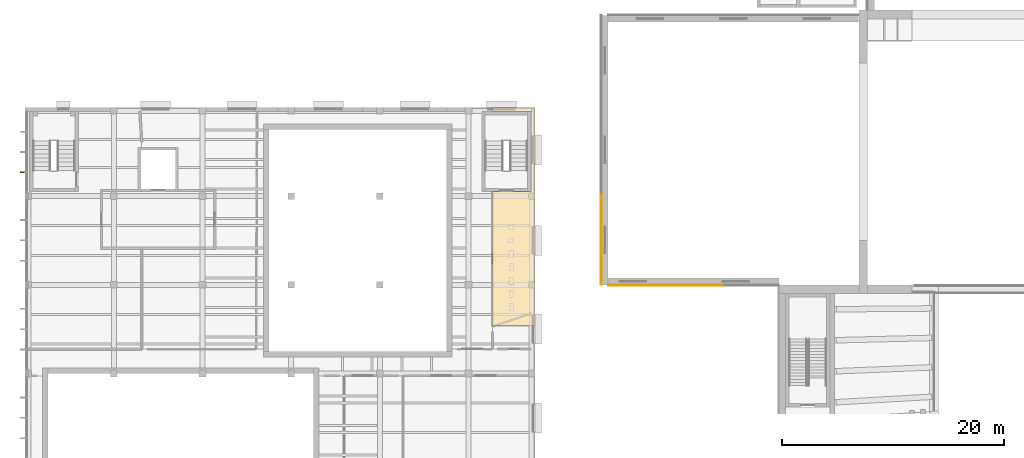
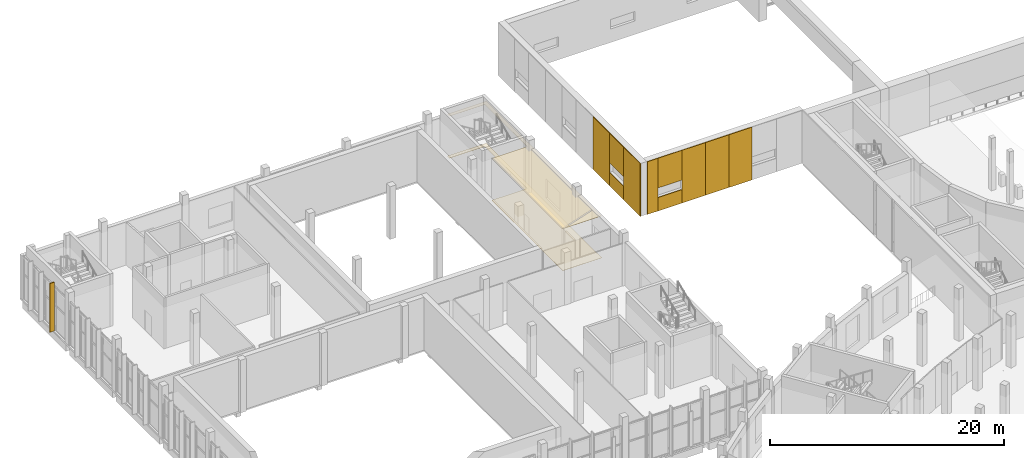
# One storey, part 64 of 87: 12 coverings, 1 shading device.
"""IFC4 building model written with IfcOpenShell, lengths in metres."""

from ifc_helpers import new_model, si_unit, direction, frame, origin, origin_2d, place, context, subcontext, project, spatial, polyline, rectangle, outline, extrude, material, layer, layer_set, type_object, element, save


model = new_model("IFC4")

# Units and contexts
model_context = context("Model", 3, precision=1e-05, world=origin(), true_north=direction((0.0, 1.0)))
body_context = subcontext(model_context, "Body", "Model", "MODEL_VIEW")
ifc_project = project(units=[si_unit("LENGTHUNIT", "METRE"), si_unit("AREAUNIT", "SQUARE_METRE"), si_unit("VOLUMEUNIT", "CUBIC_METRE"), si_unit("PLANEANGLEUNIT", "RADIAN"), si_unit("MASSUNIT", "GRAM", prefix="KILO")], contexts=[model_context])

# Site, building, storey
site_placement = place(None, origin())
site = spatial("IfcSite", under=ifc_project, at=site_placement, CompositionType="ELEMENT")
building_placement = place(site_placement, origin())
building = spatial("IfcBuilding", under=site, at=building_placement, Name="Lunette Opera House", CompositionType="ELEMENT")
storey_placement = place(building_placement, frame((0.0, 0.0, 11.5)))
storey = spatial("IfcBuildingStorey", under=building, at=storey_placement, Name="L02", CompositionType="ELEMENT", Elevation=11.5)

# Shading device
ifc_material_1 = material(Name="Powder-coated aluminium", Category="aluminium")
shading_device_type = type_object("IfcShadingDeviceType", Name="SOLAR FIN 100 X 450", PredefinedType="USERDEFINED", material=ifc_material_1)
shading_device_placement = place(storey_placement, frame((7.76708984375, 106.156005859375, 0.115478515625), z_axis=(0.0, 0.0, 1.0), x_axis=(-1.0, 0.0, 0.0)))
element("IfcShadingDevice", 1, at=shading_device_placement, inside=storey, type_object=shading_device_type, Name="Solar fin RW-X2029 3", ObjectType="SOLAR FIN", PredefinedType="USERDEFINED", context=body_context, shape_type="SweptSolid", body=[
    extrude(rectangle(XDim=0.449951171875, YDim=0.10009765625, at=origin_2d()), origin(), (0.0, 0.0, 1.0), 5.0849609375),
])

# Coverings
ifc_material_2 = material(Name="Aluminium standing seam cladding", Category="aluminium")
ifc_layer_1 = layer(ifc_material_2, 0.06005859375)
ifc_layer_set_1 = layer_set([ifc_layer_1], Name="Aluminium standing seam cladding")
covering_type_1 = type_object("IfcCoveringType", Name="STANDING SEAM CLADDING 60", PredefinedType="CLADDING", material=ifc_layer_set_1)
covering_1_placement = place(storey_placement, frame((59.969970703125, 97.425048828125, 0.0), z_axis=(0.0, 0.0, 1.0), x_axis=(0.0, 1.0, 0.0)))
element("IfcCovering", 2, at=covering_1_placement, inside=storey, type_object=covering_type_1, Name="Standing seam cladding SW-W-1 L02 00", PredefinedType="CLADDING", context=body_context, shape_type="SweptSolid", body=[
    extrude(rectangle(XDim=2.85009765625, YDim=0.06005859375, at=origin_2d()), origin(), (0.0, 0.0, 1.0), 5.5),
])
covering_2_placement = place(storey_placement, frame((59.969970703125, 100.050048828125, 0.0), z_axis=(0.0, 0.0, 1.0), x_axis=(0.0, 1.0, 0.0)))
element("IfcCovering", 3, at=covering_2_placement, inside=storey, type_object=covering_type_1, Name="Standing seam cladding SW-W-1 L02 10", PredefinedType="CLADDING", context=body_context, shape_type="SweptSolid", body=[
    extrude(rectangle(XDim=2.39990234375, YDim=0.06005859375, at=origin_2d()), origin(), (0.0, 0.0, 1.0), 1.39990234375),
])
covering_3_placement = place(storey_placement, frame((59.969970703125, 100.050048828125, 2.39990234375), z_axis=(0.0, 0.0, 1.0), x_axis=(0.0, 1.0, 0.0)))
element("IfcCovering", 4, at=covering_3_placement, inside=storey, type_object=covering_type_1, Name="Standing seam cladding SW-W-1 L02 11", PredefinedType="CLADDING", context=body_context, shape_type="SweptSolid", body=[
    extrude(rectangle(XDim=2.39990234375, YDim=0.06005859375, at=origin_2d()), origin(), (0.0, 0.0, 1.0), 3.10009765625),
])
covering_4_placement = place(storey_placement, frame((59.969970703125, 102.675048828125, 0.0), z_axis=(0.0, 0.0, 1.0), x_axis=(0.0, 1.0, 0.0)))
element("IfcCovering", 5, at=covering_4_placement, inside=storey, type_object=covering_type_1, Name="Standing seam cladding SW-W-1 L02 20", PredefinedType="CLADDING", context=body_context, shape_type="SweptSolid", body=[
    extrude(rectangle(XDim=2.85009765625, YDim=0.06005859375, at=origin_2d()), origin(), (0.0, 0.0, 1.0), 5.5),
])
covering_5_placement = place(storey_placement, frame((61.123046875, 95.969970703125, 0.0), z_axis=(0.0, 0.0, 1.0), x_axis=(1.0, 0.0, 0.0)))
element("IfcCovering", 6, at=covering_5_placement, inside=storey, type_object=covering_type_1, Name="Standing seam cladding SW-S-1 L02 00", PredefinedType="CLADDING", context=body_context, shape_type="SweptSolid", body=[
    extrude(rectangle(XDim=1.047119140625, YDim=0.06005859375, at=origin_2d()), origin(), (0.0, 0.0, 1.0), 5.5),
])
covering_6_placement = place(storey_placement, frame((62.846923828125, 95.969970703125, 0.0), z_axis=(0.0, 0.0, 1.0), x_axis=(1.0, 0.0, 0.0)))
element("IfcCovering", 7, at=covering_6_placement, inside=storey, type_object=covering_type_1, Name="Standing seam cladding SW-S-1 L02 10", PredefinedType="CLADDING", context=body_context, shape_type="SweptSolid", body=[
    extrude(rectangle(XDim=2.39990234375, YDim=0.06005859375, at=origin_2d()), origin(), (0.0, 0.0, 1.0), 1.39990234375),
])
covering_7_placement = place(storey_placement, frame((62.846923828125, 95.969970703125, 2.39990234375), z_axis=(0.0, 0.0, 1.0), x_axis=(1.0, 0.0, 0.0)))
element("IfcCovering", 8, at=covering_7_placement, inside=storey, type_object=covering_type_1, Name="Standing seam cladding SW-S-1 L02 11", PredefinedType="CLADDING", context=body_context, shape_type="SweptSolid", body=[
    extrude(rectangle(XDim=2.39990234375, YDim=0.06005859375, at=origin_2d()), origin(), (0.0, 0.0, 1.0), 3.10009765625),
])
for number, where, z_axis, x_axis, name in (
    (9, (65.196044921875, 95.969970703125, 0.0), (0.0, 0.0, 1.0), (1.0, 0.0, 0.0), "Standing seam cladding SW-S-1 L02 20"),
    (10, (67.4951171875, 95.969970703125, 0.0), (0.0, 0.0, 1.0), (1.0, 0.0, 0.0), "Standing seam cladding SW-S-1 L02 21"),
    (11, (69.79296875, 95.969970703125, 0.0), (0.0, 0.0, 1.0), (1.0, 0.0, 0.0), "Standing seam cladding SW-S-1 L02 22"),
):
    element("IfcCovering", number, at=place(storey_placement, frame(where, z_axis=z_axis, x_axis=x_axis)), inside=storey, type_object=covering_type_1, Name=name, PredefinedType="CLADDING", context=body_context, shape_type="SweptSolid", body=[
        extrude(rectangle(XDim=2.298095703125, YDim=0.06005859375, at=origin_2d()), origin(), (0.0, 0.0, 1.0), 5.5),
    ])
ifc_material_3 = material(Name="Mineral fibre board")
ifc_layer_2 = layer(ifc_material_3, 0.014892578125)
ifc_layer_set_2 = layer_set([ifc_layer_2], Name="Mineral fibre board")
covering_type_2 = type_object("IfcCoveringType", Name="SUSPENDED ACOUSTIC CEILING 15", PredefinedType="CEILING", material=ifc_layer_set_2)
covering_8_placement = place(storey_placement, frame((0.0, 0.0, 4.385009765625)))
element("IfcCovering", 12, at=covering_8_placement, inside=storey, type_object=covering_type_2, Name="Ceiling Rehearsal Wing WC L02", PredefinedType="CEILING", context=body_context, shape_type="SweptSolid", body=[
    extrude(outline(polyline([(54.0, 92.278076171875), (50.14892578125, 92.278076171875), (50.14892578125, 104.39990234375), (53.635009765625, 104.39990234375), (53.635009765625, 111.635009765625), (50.14892578125, 111.635009765625), (50.14892578125, 112.0), (54.0, 112.0), (54.0, 92.278076171875)])), origin(), (0.0, 0.0, 1.0), 0.014892578125),
])
ifc_material_4 = material(Name="Ceramic tile")
ifc_layer_3 = layer(ifc_material_4, 0.02490234375)
ifc_layer_set_3 = layer_set([ifc_layer_3], Name="Ceramic tile")
covering_type_3 = type_object("IfcCoveringType", Name="TILED FLOOR FINISH 25", PredefinedType="FLOORING", material=ifc_layer_set_3)
covering_9_placement = place(storey_placement, origin())
element("IfcCovering", 13, at=covering_9_placement, inside=storey, type_object=covering_type_3, Name="Floor finish Rehearsal Wing WC L02", PredefinedType="FLOORING", context=body_context, shape_type="SweptSolid", body=[
    extrude(outline(polyline([(54.0, 92.278076171875), (50.14892578125, 92.278076171875), (50.14892578125, 104.39990234375), (53.635009765625, 104.39990234375), (53.635009765625, 111.635009765625), (50.14892578125, 111.635009765625), (50.14892578125, 112.0), (54.0, 112.0), (54.0, 92.278076171875)])), origin(), (0.0, 0.0, 1.0), 0.02490234375),
])

save(model, "model.ifc")
